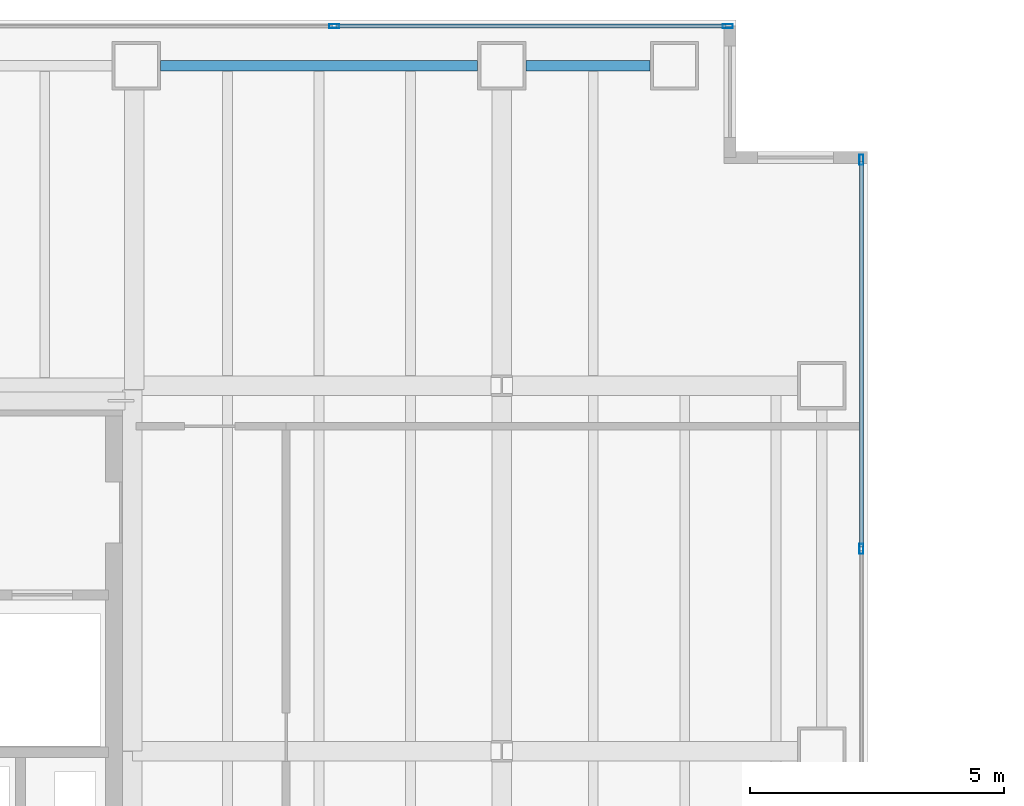
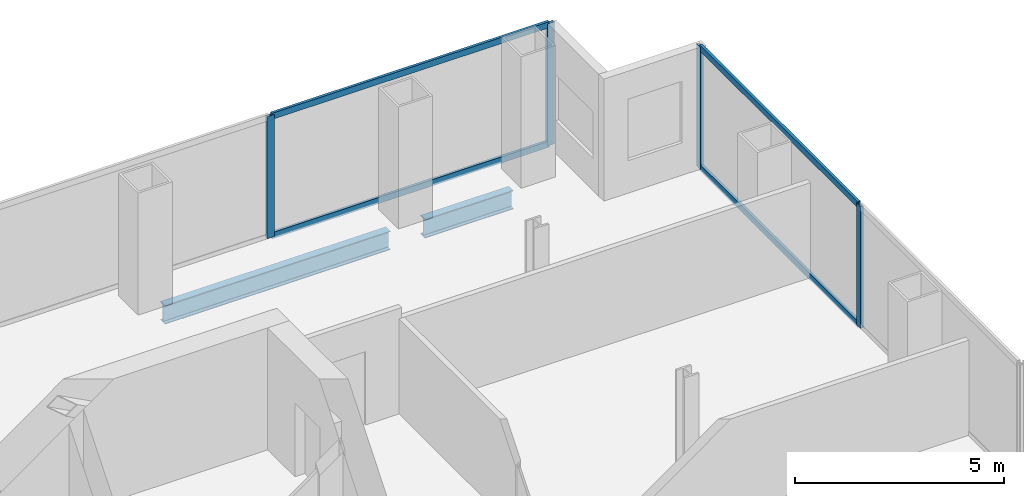
# One storey, part 18 of 23: 8 members, 2 beams, 2 elements without a shape of their own.
"""IFC4 building model written with IfcOpenShell, lengths in metres."""

from ifc_helpers import new_model, si_unit, direction, frame, origin, origin_2d, place, context, subcontext, project, spatial, hollow_rectangle, i_section, extrude, material, material_profile, profile_set, type_object, element, aggregate, save


model = new_model("IFC4")

# Units and contexts
model_context = context("Model", 3, precision=1e-05, world=origin(), true_north=direction((0.0, 1.0)))
body_context = subcontext(model_context, "Body", "Model", "MODEL_VIEW")
ifc_project = project(units=[si_unit("LENGTHUNIT", "METRE"), si_unit("AREAUNIT", "SQUARE_METRE"), si_unit("VOLUMEUNIT", "CUBIC_METRE"), si_unit("PLANEANGLEUNIT", "RADIAN"), si_unit("MASSUNIT", "GRAM", prefix="KILO")], contexts=[model_context])

# Site, building, storey
site_placement = place(None, origin())
site = spatial("IfcSite", under=ifc_project, at=site_placement, CompositionType="ELEMENT")
building_placement = place(site_placement, origin())
building = spatial("IfcBuilding", under=site, at=building_placement, Name="Cobrela Telecom Tower", CompositionType="ELEMENT")
storey_placement = place(building_placement, frame((0.0, 0.0, 88.89990234375)))
storey = spatial("IfcBuildingStorey", under=building, at=storey_placement, Name="L22", CompositionType="ELEMENT", Elevation=88.89990234375)

# Beams
ifc_material_1 = material(Name="Steel ASTM A992 Grade 50", Category="steel")
ifc_material_profile_1 = material_profile(ifc_material_1, i_section(OverallWidth=0.212890625, OverallDepth=0.549072265625, WebThickness=0.0146484375, FlangeThickness=0.023681640625, FilletRadius=0.013916015625, at=origin_2d()), Name="W21X93")
ifc_profile_set_1 = profile_set([ifc_material_profile_1], Name="Steel ASTM A992 Grade 50")
beam_type = type_object("IfcBeamType", Name="BM-SPAND-03", PredefinedType="SPANDREL", material=ifc_profile_set_1)
beam_1_placement = place(storey_placement, frame((14.8798828125, 42.300048828125, -0.554443359375), z_axis=(1.0, 0.0, 0.0), x_axis=(0.0, 1.0, 0.0)))
element("IfcBeam", 1, at=beam_1_placement, inside=storey, type_object=beam_type, Name="L22 Perimeter Spandrel X30", PredefinedType="SPANDREL", context=body_context, shape_type="SweptSolid", body=[
    extrude(i_section(OverallWidth=0.212890625, OverallDepth=0.549072265625, WebThickness=0.0146484375, FlangeThickness=0.023681640625, FilletRadius=0.013916015625, at=origin_2d()), origin(), (0.0, 0.0, 1.0), 6.240234375),
])
beam_2_placement = place(storey_placement, frame((22.080078125, 42.300048828125, -0.554443359375), z_axis=(1.0, 0.0, 0.0), x_axis=(0.0, 1.0, 0.0)))
element("IfcBeam", 2, at=beam_2_placement, inside=storey, type_object=beam_type, Name="L22 Perimeter Spandrel X31", PredefinedType="SPANDREL", context=body_context, shape_type="SweptSolid", body=[
    extrude(i_section(OverallWidth=0.212890625, OverallDepth=0.549072265625, WebThickness=0.0146484375, FlangeThickness=0.023681640625, FilletRadius=0.013916015625, at=origin_2d()), origin(), (0.0, 0.0, 1.0), 2.43994140625),
])

# Curtain wall, members
ifc_material_2 = material(Name="Anodized Bronze Aluminium 6063-T6", Category="aluminium")
curtain_wall_type = type_object("IfcCurtainWallType", Name="CW-SYS-DATA", PredefinedType="USERDEFINED", material=ifc_material_2)
curtain_wall_1_placement = place(storey_placement, origin())
curtain_wall_1 = element("IfcCurtainWall", 3, at=curtain_wall_1_placement, inside=storey, type_object=curtain_wall_type, Name="L22 Unitised Bronze Curtain Wall 07", ObjectType="UNITISED CURTAIN WALL", PredefinedType="USERDEFINED")
ifc_material_profile_2 = material_profile(ifc_material_2, hollow_rectangle(XDim=0.080078125, YDim=0.199951171875, WallThickness=0.00390625, at=origin_2d()), Name="ALU 80x200x4")
ifc_profile_set_2 = profile_set([ifc_material_profile_2], Name="Anodized Bronze Aluminium 6063-T6")
member_type_1 = type_object("IfcMemberType", Name="CW-SYS-DATA-MUL", PredefinedType="MULLION", material=ifc_profile_set_2)
member_1_placement = place(storey_placement, frame((18.296630859375, 43.080078125, 0.0), z_axis=(0.0, 0.0, 1.0), x_axis=(0.0, 1.0, 0.0)))
member_1 = element("IfcMember", 4, at=member_1_placement, type_object=member_type_1, Name="CW-DATA mullion 3", PredefinedType="MULLION", context=body_context, shape_type="SweptSolid", body=[
    extrude(hollow_rectangle(XDim=0.080078125, YDim=0.199951171875, WallThickness=0.00390625, at=origin_2d()), origin(), (0.0, 0.0, 1.0), 3.570068359375),
])
member_2_placement = place(storey_placement, frame((26.050048828125, 43.080078125, 0.0), z_axis=(0.0, 0.0, 1.0), x_axis=(0.0, 1.0, 0.0)))
member_2 = element("IfcMember", 5, at=member_2_placement, type_object=member_type_1, Name="CW-DATA mullion 4", PredefinedType="MULLION", context=body_context, shape_type="SweptSolid", body=[
    extrude(hollow_rectangle(XDim=0.080078125, YDim=0.199951171875, WallThickness=0.00390625, at=origin_2d()), origin(), (0.0, 0.0, 1.0), 3.570068359375),
])

curtain_wall_2_placement = place(storey_placement, origin())
curtain_wall_2 = element("IfcCurtainWall", 6, at=curtain_wall_2_placement, inside=storey, type_object=curtain_wall_type, Name="L22 Unitised Bronze Curtain Wall 10", ObjectType="UNITISED CURTAIN WALL", PredefinedType="USERDEFINED")
member_3_placement = place(storey_placement, frame((28.679931640625, 40.449951171875, 0.0), z_axis=(0.0, 0.0, 1.0), x_axis=(1.0, 0.0, 0.0)))
member_3 = element("IfcMember", 7, at=member_3_placement, type_object=member_type_1, Name="CW-DATA mullion 1", PredefinedType="MULLION", context=body_context, shape_type="SweptSolid", body=[
    extrude(hollow_rectangle(XDim=0.080078125, YDim=0.199951171875, WallThickness=0.00390625, at=origin_2d()), origin(), (0.0, 0.0, 1.0), 3.570068359375),
])
member_4_placement = place(storey_placement, frame((28.679931640625, 32.784912109375, 0.0), z_axis=(0.0, 0.0, 1.0), x_axis=(1.0, 0.0, 0.0)))
member_4 = element("IfcMember", 8, at=member_4_placement, type_object=member_type_1, Name="CW-DATA mullion 2", PredefinedType="MULLION", context=body_context, shape_type="SweptSolid", body=[
    extrude(hollow_rectangle(XDim=0.080078125, YDim=0.199951171875, WallThickness=0.00390625, at=origin_2d()), origin(), (0.0, 0.0, 1.0), 3.570068359375),
])

# Member
ifc_material_profile_3 = material_profile(ifc_material_2, hollow_rectangle(XDim=0.074951171875, YDim=0.179931640625, WallThickness=0.00390625, at=origin_2d()), Name="ALU 75x180x4")
ifc_profile_set_3 = profile_set([ifc_material_profile_3], Name="Anodized Bronze Aluminium 6063-T6")
member_type_2 = type_object("IfcMemberType", Name="CW-SYS-DATA-TRN", PredefinedType="USERDEFINED", material=ifc_profile_set_3)
member_5_placement = place(storey_placement, frame((18.336669921875, 43.080078125, 0.03759765625), z_axis=(1.0, 0.0, 0.0), x_axis=(0.0, 1.0, 0.0)))
member_5 = element("IfcMember", 9, at=member_5_placement, type_object=member_type_2, Name="CW-DATA transom 3.1", ObjectType="TRANSOM", PredefinedType="USERDEFINED", context=body_context, shape_type="SweptSolid", body=[
    extrude(hollow_rectangle(XDim=0.074951171875, YDim=0.179931640625, WallThickness=0.00390625, at=origin_2d()), origin(), (0.0, 0.0, 1.0), 7.67333984375),
])

member_6_placement = place(storey_placement, frame((18.336669921875, 43.080078125, 3.53271484375), z_axis=(1.0, 0.0, 0.0), x_axis=(0.0, 1.0, 0.0)))
member_6 = element("IfcMember", 10, at=member_6_placement, type_object=member_type_2, Name="CW-DATA transom 3.2", ObjectType="TRANSOM", PredefinedType="USERDEFINED", context=body_context, shape_type="SweptSolid", body=[
    extrude(hollow_rectangle(XDim=0.074951171875, YDim=0.179931640625, WallThickness=0.00390625, at=origin_2d()), origin(), (0.0, 0.0, 1.0), 7.67333984375),
])

aggregate(curtain_wall_1, [member_1, member_2, member_5, member_6])

member_7_placement = place(storey_placement, frame((28.679931640625, 40.409912109375, 0.03759765625), z_axis=(0.0, -1.0, 0.0), x_axis=(1.0, 0.0, 0.0)))
member_7 = element("IfcMember", 11, at=member_7_placement, type_object=member_type_2, Name="CW-DATA transom 1.1", ObjectType="TRANSOM", PredefinedType="USERDEFINED", context=body_context, shape_type="SweptSolid", body=[
    extrude(hollow_rectangle(XDim=0.074951171875, YDim=0.179931640625, WallThickness=0.00390625, at=origin_2d()), origin(), (0.0, 0.0, 1.0), 7.5849609375),
])

member_8_placement = place(storey_placement, frame((28.679931640625, 40.409912109375, 3.53271484375), z_axis=(0.0, -1.0, 0.0), x_axis=(1.0, 0.0, 0.0)))
member_8 = element("IfcMember", 12, at=member_8_placement, type_object=member_type_2, Name="CW-DATA transom 1.2", ObjectType="TRANSOM", PredefinedType="USERDEFINED", context=body_context, shape_type="SweptSolid", body=[
    extrude(hollow_rectangle(XDim=0.074951171875, YDim=0.179931640625, WallThickness=0.00390625, at=origin_2d()), origin(), (0.0, 0.0, 1.0), 7.5849609375),
])

aggregate(curtain_wall_2, [member_3, member_4, member_7, member_8])

save(model, "model.ifc")
